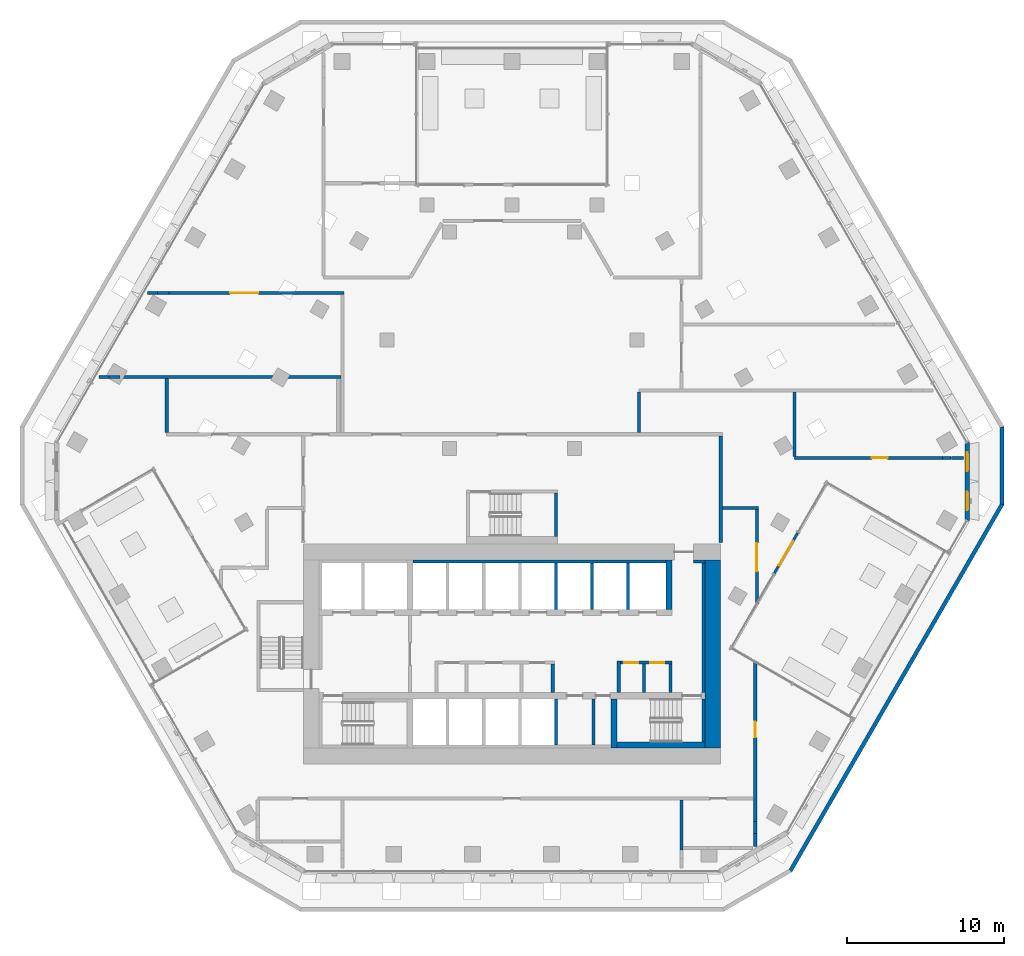
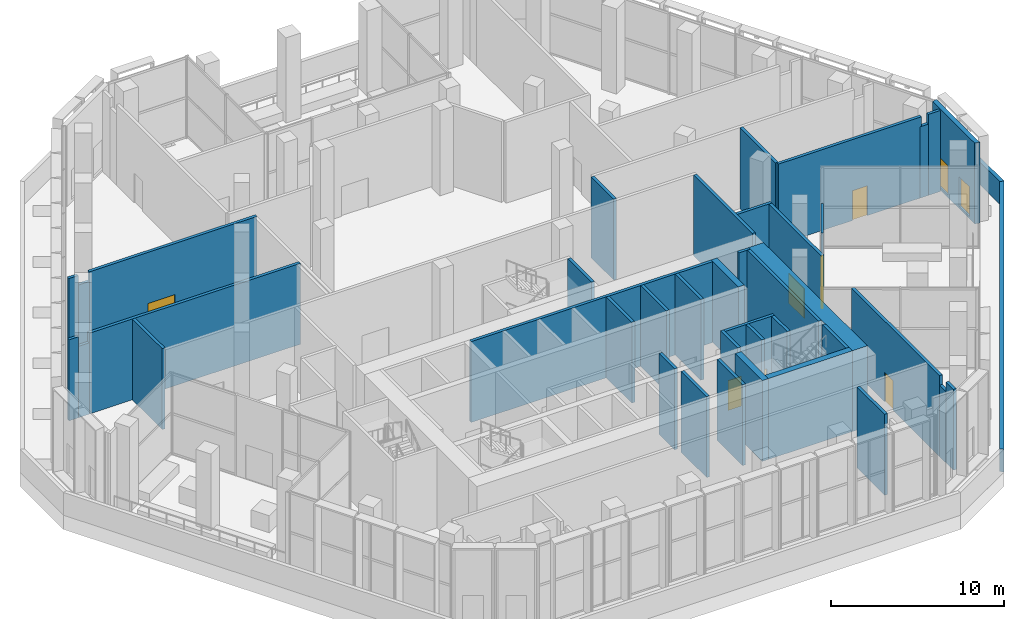
# One storey, part 11 of 23: 42 walls, 7 doors, 2 windows, 9 openings.
"""IFC4 building model written with IfcOpenShell, lengths in metres."""

from ifc_helpers import new_model, si_unit, direction, frame, frame_2d, origin, place, context, subcontext, project, spatial, polyline, rectangle, outline, extrude, material, layer, layer_set, type_object, element, fill, save


model = new_model("IFC4")

# Units and contexts
model_context = context("Model", 3, precision=1e-05, world=origin(), true_north=direction((0.0, 1.0)))
body_context = subcontext(model_context, "Body", "Model", "MODEL_VIEW")
ifc_project = project(units=[si_unit("LENGTHUNIT", "METRE"), si_unit("AREAUNIT", "SQUARE_METRE"), si_unit("VOLUMEUNIT", "CUBIC_METRE"), si_unit("PLANEANGLEUNIT", "RADIAN"), si_unit("MASSUNIT", "GRAM", prefix="KILO")], contexts=[model_context])

# Site, building, storey
site_placement = place(None, origin())
site = spatial("IfcSite", under=ifc_project, at=site_placement, CompositionType="ELEMENT")
building_placement = place(site_placement, origin())
building = spatial("IfcBuilding", under=site, at=building_placement, Name="Beryl Residences", CompositionType="ELEMENT")
storey_placement = place(building_placement, frame((0.0, 0.0, 66.0)))
storey = spatial("IfcBuildingStorey", under=building, at=storey_placement, Name="L20", CompositionType="ELEMENT", Elevation=66.0)

# Wall, openings, windows
ifc_material_1 = material(Name="Composite metal panel with mineral wool insulation")
ifc_layer_1 = layer(ifc_material_1, 0.300048828125)
ifc_layer_set_1 = layer_set([ifc_layer_1], Name="ES1 pale metal composite panel wall 300 mm")
wall_type_1 = type_object("IfcWallType", Name="ES1 pale metal composite panel wall 300 mm", PredefinedType="SOLIDWALL", material=ifc_layer_set_1)
wall_1_placement = place(storey_placement, frame((29.007080078125, -3.5, 0.0), z_axis=(0.0, 0.0, 1.0), x_axis=(0.0, 1.0, 0.0)))
wall_1 = element("IfcWall", 1, at=wall_1_placement, inside=storey, type_object=wall_type_1, Name="ES1 external wall L20 SE-NE", PredefinedType="SOLIDWALL", context=body_context, shape_type="SweptSolid", body=[
    extrude(outline(polyline([(0.0, -0.14990234375), (5.0, -0.14990234375), (4.919677734375, 0.14990234375), (0.080322265625, 0.14990234375), (0.0, -0.14990234375)])), origin(), (0.0, 0.0, 1.0), 5.699951171875),
])
opening_1_placement = place(wall_1_placement, frame((0.64990234375, 0.0, 0.14990234375)))
opening_1 = element("IfcOpeningElement", 2, at=opening_1_placement, cuts=wall_1, Name="Opening W2", PredefinedType="OPENING", context=body_context, shape_type="SweptSolid", body=[
    extrude(rectangle(XDim=1.199951171875, YDim=2.10009765625, at=frame_2d((0.60009765625, 1.050048828125))), frame((0.0, 0.159912109375, 0.0), z_axis=(0.0, -1.0, 0.0), x_axis=(1.0, 0.0, 0.0)), (0.0, 0.0, 1.0), 0.320068359375),
])
opening_2_placement = place(wall_1_placement, frame((3.14990234375, 0.0, 0.14990234375)))
opening_2 = element("IfcOpeningElement", 3, at=opening_2_placement, cuts=wall_1, Name="Opening W2", PredefinedType="OPENING", context=body_context, shape_type="SweptSolid", body=[
    extrude(rectangle(XDim=1.199951171875, YDim=2.10009765625, at=frame_2d((0.60009765625, 1.050048828125))), frame((0.0, 0.159912109375, 0.0), z_axis=(0.0, -1.0, 0.0), x_axis=(1.0, 0.0, 0.0)), (0.0, 0.0, 1.0), 0.320068359375),
])
ifc_material_2 = material(Name="Aluminium and clear glass", Category="aluminium")
window_type = type_object("IfcWindowType", Name="W2 chamfer window 1200 x 2100 mm", PartitioningType="SINGLE_PANEL", PredefinedType="WINDOW", material=ifc_material_2)
window_1_placement = place(opening_1_placement, origin())
window_1 = element("IfcWindow", 4, at=window_1_placement, inside=storey, type_object=window_type, Name="W2 window L20 SE-NE 1", OverallHeight=2.10009765625, OverallWidth=1.199951171875, PartitioningType="SINGLE_PANEL", PredefinedType="WINDOW", context=body_context, shape_type="SweptSolid", body=[
    extrude(rectangle(XDim=1.199951171875, YDim=2.10009765625, at=frame_2d((0.60009765625, 1.050048828125))), frame((0.0, 0.030029296875, 0.0), z_axis=(0.0, -1.0, 0.0), x_axis=(1.0, 0.0, 0.0)), (0.0, 0.0, 1.0), 0.06005859375),
])
fill(opening_1, window_1)
window_2_placement = place(opening_2_placement, origin())
window_2 = element("IfcWindow", 5, at=window_2_placement, inside=storey, type_object=window_type, Name="W2 window L20 SE-NE 2", OverallHeight=2.10009765625, OverallWidth=1.199951171875, PartitioningType="SINGLE_PANEL", PredefinedType="WINDOW", context=body_context, shape_type="SweptSolid", body=[
    extrude(rectangle(XDim=1.199951171875, YDim=2.10009765625, at=frame_2d((0.60009765625, 1.050048828125))), frame((0.0, 0.030029296875, 0.0), z_axis=(0.0, -1.0, 0.0), x_axis=(1.0, 0.0, 0.0)), (0.0, 0.0, 1.0), 0.06005859375),
])
fill(opening_2, window_2)

# Wall, opening, door
ifc_material_3 = material(Name="Aluminium framed insulated wall", Category="aluminium")
ifc_layer_2 = layer(ifc_material_3, 0.14990234375)
ifc_layer_set_2 = layer_set([ifc_layer_2], Name="GW1 glazed door wall 150 mm")
wall_type_2 = type_object("IfcWallType", Name="GW1 glazed door wall 150 mm", PredefinedType="SOLIDWALL", material=ifc_layer_set_2)
wall_2_placement = place(storey_placement, frame((16.701904296875, -6.8720703125, 0.0), z_axis=(0.0, 0.0, 1.0), x_axis=(0.499990139034, 0.866031096941, 0.0)))
wall_2 = element("IfcWall", 6, at=wall_2_placement, inside=storey, type_object=wall_type_2, Name="GW1 door wall L20 SE", PredefinedType="SOLIDWALL", context=body_context, shape_type="SweptSolid", body=[
    extrude(rectangle(XDim=3.0, YDim=0.14990234375, at=frame_2d((1.5, 0.0))), origin(), (0.0, 0.0, 1.0), 5.699951171875),
])
opening_3_placement = place(wall_2_placement, frame((0.60009765625, 0.0, 0.0)))
opening_3 = element("IfcOpeningElement", 7, at=opening_3_placement, cuts=wall_2, Name="Opening SD3", PredefinedType="OPENING", context=body_context, shape_type="SweptSolid", body=[
    extrude(rectangle(XDim=1.800048828125, YDim=2.39990234375, at=frame_2d((0.89990234375, 1.199951171875))), frame((0.0, 0.0849609375, 0.0), z_axis=(0.0, -1.0, 0.0), x_axis=(1.0, 0.0, 0.0)), (0.0, 0.0, 1.0), 0.169921875),
])
ifc_material_4 = material(Name="Aluminium and clear glass", Category="aluminium")
door_type_1 = type_object("IfcDoorType", Name="SD3 sliding glass door 1800 x 2400 mm", OperationType="SLIDING_TO_LEFT", PredefinedType="DOOR", material=ifc_material_4)
door_1_placement = place(opening_3_placement, origin())
door_1 = element("IfcDoor", 8, at=door_1_placement, inside=storey, type_object=door_type_1, Name="SD3 garden door L20 SE", OperationType="SLIDING_TO_LEFT", OverallHeight=2.39990234375, OverallWidth=1.800048828125, PredefinedType="DOOR", context=body_context, shape_type="SweptSolid", body=[
    extrude(rectangle(XDim=1.800048828125, YDim=2.39990234375, at=frame_2d((0.89990234375, 1.199951171875))), frame((0.0, 0.02490234375, 0.0), z_axis=(0.0, -1.0, 0.0), x_axis=(1.0, 0.0, 0.0)), (0.0, 0.0, 1.0), 0.050048828125),
])
fill(opening_3, door_1)

# Walls
ifc_material_5 = material(Name="Precast concrete C40/50", Category="concrete")
ifc_layer_3 = layer(ifc_material_5, 0.25)
ifc_layer_set_3 = layer_set([ifc_layer_3], Name="PA1 roof parapet 250 mm")
wall_type_3 = type_object("IfcWallType", Name="PA1 roof parapet 250 mm", PredefinedType="PARAPET", material=ifc_layer_set_3)
wall_3_placement = place(storey_placement, frame((31.22509765625, 2.5, 0.0), z_axis=(0.0, 0.0, 1.0), x_axis=(0.0, -1.0, 0.0)))
element("IfcWall", 9, at=wall_3_placement, inside=storey, type_object=wall_type_3, Name="PA1 parapet L20 strip 3", PredefinedType="PARAPET", context=body_context, shape_type="SweptSolid", body=[
    extrude(outline(polyline([(0.06689453125, -0.125), (4.93310546875, -0.125), (5.0, 0.125), (0.0, 0.125), (0.06689453125, -0.125)])), origin(), (0.0, 0.0, 1.0), 1.60009765625),
])
wall_4_placement = place(storey_placement, frame((31.241943359375, -2.43798828125, 0.0), z_axis=(0.0, 0.0, 1.0), x_axis=(-0.500044695558, -0.865999597254, 0.0)))
element("IfcWall", 10, at=wall_4_placement, inside=storey, type_object=wall_type_3, Name="PA1 parapet L20 strip 4", PredefinedType="PARAPET", context=body_context, shape_type="SweptSolid", body=[
    extrude(outline(polyline([(0.06689453125, -0.125), (26.95263671875, -0.125), (27.01953125, 0.125), (0.0, 0.125), (0.06689453125, -0.125)])), origin(), (0.0, 0.0, 1.0), 1.60009765625),
])
ifc_material_6 = material(Name="Concrete masonry", Category="masonry")
ifc_layer_4 = layer(ifc_material_6, 0.199951171875)
ifc_layer_set_4 = layer_set([ifc_layer_4], Name="PT13 lobby wall 200 mm")
wall_type_4 = type_object("IfcWallType", Name="PT13 lobby wall 200 mm", PredefinedType="PARTITIONING", material=ifc_layer_set_4)
wall_5_placement = place(storey_placement, frame((2.60009765625, -14.449951171875, 0.0), z_axis=(0.0, 0.0, 1.0), x_axis=(0.0, 1.0, 0.0)))
element("IfcWall", 11, at=wall_5_placement, inside=storey, type_object=wall_type_4, Name="Lobby wall 24", PredefinedType="PARTITIONING", context=body_context, shape_type="SweptSolid", body=[
    extrude(rectangle(XDim=1.800048828125, YDim=0.199951171875, at=frame_2d((0.89990234375, 0.0))), origin(), (0.0, 0.0, 1.0), 5.699951171875),
])
wall_6_placement = place(storey_placement, frame((6.800048828125, -14.449951171875, 0.0), z_axis=(0.0, 0.0, 1.0), x_axis=(0.0, 1.0, 0.0)))
element("IfcWall", 12, at=wall_6_placement, inside=storey, type_object=wall_type_4, Name="Lobby wall 30", PredefinedType="PARTITIONING", context=body_context, shape_type="SweptSolid", body=[
    extrude(rectangle(XDim=2.0, YDim=0.199951171875, at=frame_2d((1.0, 0.0))), origin(), (0.0, 0.0, 1.0), 5.699951171875),
])

# Wall, openings, doors
wall_7_placement = place(storey_placement, frame((6.89990234375, -12.550048828125, 0.0), z_axis=(0.0, 0.0, 1.0), x_axis=(1.0, 0.0, 0.0)))
wall_7 = element("IfcWall", 13, at=wall_7_placement, inside=storey, type_object=wall_type_4, Name="Lobby wall 31", PredefinedType="PARTITIONING", context=body_context, shape_type="SweptSolid", body=[
    extrude(rectangle(XDim=3.300048828125, YDim=0.199951171875, at=frame_2d((1.64990234375, 0.0))), origin(), (0.0, 0.0, 1.0), 5.699951171875),
])
opening_4_placement = place(wall_7_placement, frame((1.14990234375, 0.0, 0.0), z_axis=(0.0, 0.0, 1.0), x_axis=(-1.0, 0.0, 0.0)))
opening_4 = element("IfcOpeningElement", 14, at=opening_4_placement, cuts=wall_7, Name="Opening CD-D-A4-900", PredefinedType="OPENING", context=body_context, shape_type="SweptSolid", body=[
    extrude(rectangle(XDim=0.89990234375, YDim=2.10009765625, at=frame_2d((0.449951171875, 1.050048828125))), frame((0.0, 0.10986328125, 0.0), z_axis=(0.0, -1.0, 0.0), x_axis=(1.0, 0.0, 0.0)), (0.0, 0.0, 1.0), 0.219970703125),
])
opening_5_placement = place(wall_7_placement, frame((2.7998046875, 0.0, 0.0), z_axis=(0.0, 0.0, 1.0), x_axis=(-1.0, 0.0, 0.0)))
opening_5 = element("IfcOpeningElement", 15, at=opening_5_placement, cuts=wall_7, Name="Opening CD-D-A5-900", PredefinedType="OPENING", context=body_context, shape_type="SweptSolid", body=[
    extrude(rectangle(XDim=0.89990234375, YDim=2.10009765625, at=frame_2d((0.449951171875, 1.050048828125))), frame((0.0, 0.10986328125, 0.0), z_axis=(0.0, -1.0, 0.0), x_axis=(1.0, 0.0, 0.0)), (0.0, 0.0, 1.0), 0.219970703125),
])
ifc_material_7 = material(Name="Steel door leaf in steel frame", Category="steel")
door_type_2 = type_object("IfcDoorType", Name="D6 service room door 900 x 2100 mm", OperationType="SINGLE_SWING_LEFT", PredefinedType="DOOR", material=ifc_material_7)
door_2_placement = place(opening_4_placement, origin())
door_2 = element("IfcDoor", 16, at=door_2_placement, inside=storey, type_object=door_type_2, Name="Door CD-D-A4-900 L20 001", OperationType="SINGLE_SWING_LEFT", OverallHeight=2.10009765625, OverallWidth=0.89990234375, PredefinedType="DOOR", context=body_context, shape_type="SweptSolid", body=[
    extrude(rectangle(XDim=0.89990234375, YDim=2.10009765625, at=frame_2d((0.449951171875, 1.050048828125))), frame((0.0, 0.02490234375, 0.0), z_axis=(0.0, -1.0, 0.0), x_axis=(1.0, 0.0, 0.0)), (0.0, 0.0, 1.0), 0.050048828125),
])
fill(opening_4, door_2)
door_3_placement = place(opening_5_placement, origin())
door_3 = element("IfcDoor", 17, at=door_3_placement, inside=storey, type_object=door_type_2, Name="Door CD-D-A5-900 L20 001", OperationType="SINGLE_SWING_RIGHT", OverallHeight=2.10009765625, OverallWidth=0.89990234375, PredefinedType="DOOR", context=body_context, shape_type="SweptSolid", body=[
    extrude(rectangle(XDim=0.89990234375, YDim=2.10009765625, at=frame_2d((0.449951171875, 1.050048828125))), frame((0.0, 0.02490234375, 0.0), z_axis=(0.0, -1.0, 0.0), x_axis=(1.0, 0.0, 0.0)), (0.0, 0.0, 1.0), 0.050048828125),
])
fill(opening_5, door_3)

# Walls
wall_8_placement = place(storey_placement, frame((10.10009765625, -14.449951171875, 0.0), z_axis=(0.0, 0.0, 1.0), x_axis=(0.0, 1.0, 0.0)))
element("IfcWall", 18, at=wall_8_placement, inside=storey, type_object=wall_type_4, Name="Lobby wall 34", PredefinedType="PARTITIONING", context=body_context, shape_type="SweptSolid", body=[
    extrude(rectangle(XDim=1.800048828125, YDim=0.199951171875, at=frame_2d((0.89990234375, 0.0))), origin(), (0.0, 0.0, 1.0), 5.699951171875),
])
wall_9_placement = place(storey_placement, frame((11.550048828125, -6.10009765625, 0.0), z_axis=(0.0, 0.0, 1.0), x_axis=(1.0, 0.0, 0.0)))
element("IfcWall", 19, at=wall_9_placement, inside=storey, type_object=wall_type_4, Name="Lobby wall 35", PredefinedType="PARTITIONING", context=body_context, shape_type="SweptSolid", body=[
    extrude(rectangle(XDim=0.75, YDim=0.199951171875, at=frame_2d((0.375, 0.0))), origin(), (0.0, 0.0, 1.0), 5.699951171875),
])
wall_10_placement = place(storey_placement, frame((12.199951171875, -14.449951171875, 0.0), z_axis=(0.0, 0.0, 1.0), x_axis=(0.0, 1.0, 0.0)))
element("IfcWall", 20, at=wall_10_placement, inside=storey, type_object=wall_type_4, Name="Lobby wall 37", PredefinedType="PARTITIONING", context=body_context, shape_type="SweptSolid", body=[
    extrude(rectangle(XDim=8.25, YDim=0.199951171875, at=frame_2d((4.125, 0.0))), origin(), (0.0, 0.0, 1.0), 5.699951171875),
])
ifc_material_8 = material(Name="Double stud gypsum board wall")
ifc_layer_5 = layer(ifc_material_8, 0.199951171875)
ifc_layer_set_5 = layer_set([ifc_layer_5], Name="PT4 corridor wall 200 mm double stud")
wall_type_5 = type_object("IfcWallType", Name="PT4 corridor wall 200 mm double stud", PredefinedType="PARTITIONING", material=ifc_layer_set_5)
wall_11_placement = place(storey_placement, frame((13.39990234375, -2.699951171875, 0.0), z_axis=(0.0, 0.0, 1.0), x_axis=(1.0, 0.0, 0.0)))
element("IfcWall", 21, at=wall_11_placement, inside=storey, type_object=wall_type_5, Name="Wall PT4 L20 004", PredefinedType="PARTITIONING", context=body_context, shape_type="SweptSolid", body=[
    extrude(rectangle(XDim=2.300048828125, YDim=0.199951171875, at=frame_2d((1.14990234375, 0.0))), origin(), (0.0, 0.0, 1.0), 5.699951171875),
])
wall_12_placement = place(storey_placement, frame((-23.23291015625, 11.0, 0.0), z_axis=(0.0, 0.0, 1.0), x_axis=(1.0, 0.0, 0.0)))
element("IfcWall", 22, at=wall_12_placement, inside=storey, type_object=wall_type_5, Name="Wall PT4 L20 008", PredefinedType="PARTITIONING", context=body_context, shape_type="SweptSolid", body=[
    extrude(rectangle(XDim=0.6298828125, YDim=0.199951171875, at=frame_2d((0.31494140625, 0.0))), origin(), (0.0, 0.0, 1.0), 5.699951171875),
])
wall_13_placement = place(storey_placement, frame((-22.60302734375, 11.0, 0.0), z_axis=(0.0, 0.0, 1.0), x_axis=(1.0, 0.0, 0.0)))
element("IfcWall", 23, at=wall_13_placement, inside=storey, type_object=wall_type_5, Name="Wall PT4 L20 009", PredefinedType="PARTITIONING", context=body_context, shape_type="SweptSolid", body=[
    extrude(rectangle(XDim=0.75, YDim=0.199951171875, at=frame_2d((0.375, 0.0))), origin(), (0.0, 0.0, 1.0), 5.02001953125),
])

# Wall, opening, door
wall_14_placement = place(storey_placement, frame((-21.85302734375, 11.0, 0.0), z_axis=(0.0, 0.0, 1.0), x_axis=(1.0, 0.0, 0.0)))
wall_14 = element("IfcWall", 24, at=wall_14_placement, inside=storey, type_object=wall_type_5, Name="Wall PT4 L20 010", PredefinedType="PARTITIONING", context=body_context, shape_type="SweptSolid", body=[
    extrude(rectangle(XDim=11.153076171875, YDim=0.199951171875, at=frame_2d((5.57666015625, 0.0))), origin(), (0.0, 0.0, 1.0), 5.699951171875),
])
opening_6_placement = place(wall_14_placement, frame((5.691162109375, 0.0, 0.0), z_axis=(0.0, 0.0, 1.0), x_axis=(-1.0, 0.0, 0.0)))
opening_6 = element("IfcOpeningElement", 25, at=opening_6_placement, cuts=wall_14, Name="Opening L20-08", PredefinedType="OPENING", context=body_context, shape_type="SweptSolid", body=[
    extrude(rectangle(XDim=1.800048828125, YDim=2.10009765625, at=frame_2d((0.89990234375, 1.050048828125))), frame((0.0, 0.10986328125, 0.0), z_axis=(0.0, -1.0, 0.0), x_axis=(1.0, 0.0, 0.0)), (0.0, 0.0, 1.0), 0.219970703125),
])
ifc_material_9 = material(Name="Timber door leaf", Category="wood")
door_type_3 = type_object("IfcDoorType", Name="D20 corridor door 1800 x 2100 mm", OperationType="DOUBLE_DOOR_SINGLE_SWING", PredefinedType="DOOR", material=ifc_material_9)
door_4_placement = place(opening_6_placement, origin())
door_4 = element("IfcDoor", 26, at=door_4_placement, inside=storey, type_object=door_type_3, Name="Door L20-08 L20 001", OperationType="DOUBLE_DOOR_SINGLE_SWING", OverallHeight=2.10009765625, OverallWidth=1.800048828125, PredefinedType="DOOR", context=body_context, shape_type="SweptSolid", body=[
    extrude(rectangle(XDim=1.800048828125, YDim=2.10009765625, at=frame_2d((0.89990234375, 1.050048828125))), frame((0.0, 0.02490234375, 0.0), z_axis=(0.0, -1.0, 0.0), x_axis=(1.0, 0.0, 0.0)), (0.0, 0.0, 1.0), 0.050048828125),
])
fill(opening_6, door_4)

# Walls
wall_15_placement = place(storey_placement, frame((8.089111328125, 2.10009765625, 0.0), z_axis=(0.0, 0.0, 1.0), x_axis=(0.0, 1.0, 0.0)))
element("IfcWall", 27, at=wall_15_placement, inside=storey, type_object=wall_type_5, Name="Wall PT4 L20 021", PredefinedType="PARTITIONING", context=body_context, shape_type="SweptSolid", body=[
    extrude(rectangle(XDim=2.593994140625, YDim=0.199951171875, at=frame_2d((1.296875, 0.0))), origin(), (0.0, 0.0, 1.0), 5.699951171875),
])
wall_16_placement = place(storey_placement, frame((10.800048828125, -24.47509765625, 0.0), z_axis=(0.0, 0.0, 1.0), x_axis=(0.0, 1.0, 0.0)))
element("IfcWall", 28, at=wall_16_placement, inside=storey, type_object=wall_type_5, Name="Wall PT4 L20 024", PredefinedType="PARTITIONING", context=body_context, shape_type="SweptSolid", body=[
    extrude(rectangle(XDim=3.175048828125, YDim=0.199951171875, at=frame_2d((1.58740234375, 0.0))), origin(), (0.0, 0.0, 1.0), 5.699951171875),
])
wall_17_placement = place(storey_placement, frame((13.300048828125, -4.8798828125, 0.0), z_axis=(0.0, 0.0, 1.0), x_axis=(0.0, 1.0, 0.0)))
element("IfcWall", 29, at=wall_17_placement, inside=storey, type_object=wall_type_5, Name="Wall PT4 L20 029", PredefinedType="PARTITIONING", context=body_context, shape_type="SweptSolid", body=[
    extrude(rectangle(XDim=6.77978515625, YDim=0.199951171875, at=frame_2d((3.389892578125, 0.0))), origin(), (0.0, 0.0, 1.0), 5.699951171875),
])
wall_18_placement = place(storey_placement, frame((15.5, -24.279052734375, 0.0), z_axis=(0.0, 0.0, 1.0), x_axis=(0.0, 1.0, 0.0)))
element("IfcWall", 30, at=wall_18_placement, inside=storey, type_object=wall_type_5, Name="Wall PT4 L20 030", PredefinedType="PARTITIONING", context=body_context, shape_type="SweptSolid", body=[
    extrude(rectangle(XDim=0.85205078125, YDim=0.199951171875, at=frame_2d((0.426025390625, 0.0))), origin(), (0.0, 0.0, 1.0), 5.699951171875),
])
wall_19_placement = place(storey_placement, frame((15.5, -23.427001953125, 0.0), z_axis=(0.0, 0.0, 1.0), x_axis=(0.0, 1.0, 0.0)))
element("IfcWall", 31, at=wall_19_placement, inside=storey, type_object=wall_type_5, Name="Wall PT4 L20 031", PredefinedType="PARTITIONING", context=body_context, shape_type="SweptSolid", body=[
    extrude(rectangle(XDim=0.7509765625, YDim=0.199951171875, at=frame_2d((0.37548828125, 0.0))), origin(), (0.0, 0.0, 1.0), 5.02001953125),
])

# Wall, opening, door
wall_20_placement = place(storey_placement, frame((15.5, -22.676025390625, 0.0), z_axis=(0.0, 0.0, 1.0), x_axis=(0.0, 1.0, 0.0)))
wall_20 = element("IfcWall", 32, at=wall_20_placement, inside=storey, type_object=wall_type_5, Name="Wall PT4 L20 032", PredefinedType="PARTITIONING", context=body_context, shape_type="SweptSolid", body=[
    extrude(rectangle(XDim=10.171142578125, YDim=0.199951171875, at=frame_2d((5.08544921875, 0.0))), origin(), (0.0, 0.0, 1.0), 5.699951171875),
])
opening_7_placement = place(wall_20_placement, frame((6.3701171875, 0.0, 0.0), z_axis=(0.0, 0.0, 1.0), x_axis=(-1.0, 0.0, 0.0)))
opening_7 = element("IfcOpeningElement", 33, at=opening_7_placement, cuts=wall_20, Name="Opening L20-07", PredefinedType="OPENING", context=body_context, shape_type="SweptSolid", body=[
    extrude(rectangle(XDim=1.0, YDim=2.10009765625, at=frame_2d((0.5, 1.050048828125))), frame((0.0, 0.10986328125, 0.0), z_axis=(0.0, -1.0, 0.0), x_axis=(1.0, 0.0, 0.0)), (0.0, 0.0, 1.0), 0.219970703125),
])
ifc_material_10 = material(Name="Timber door leaf", Category="wood")
door_type_4 = type_object("IfcDoorType", Name="D9 corridor door 1000 x 2100 mm", OperationType="SINGLE_SWING_LEFT", PredefinedType="DOOR", material=ifc_material_10)
door_5_placement = place(opening_7_placement, origin())
door_5 = element("IfcDoor", 34, at=door_5_placement, inside=storey, type_object=door_type_4, Name="Door L20-07 L20 001", OperationType="SINGLE_SWING_RIGHT", OverallHeight=2.10009765625, OverallWidth=1.0, PredefinedType="DOOR", context=body_context, shape_type="SweptSolid", body=[
    extrude(rectangle(XDim=1.0, YDim=2.10009765625, at=frame_2d((0.5, 1.050048828125))), frame((0.0, 0.02490234375, 0.0), z_axis=(0.0, -1.0, 0.0), x_axis=(1.0, 0.0, 0.0)), (0.0, 0.0, 1.0), 0.050048828125),
])
fill(opening_7, door_5)

wall_21_placement = place(storey_placement, frame((15.60009765625, -8.821044921875, 0.0), z_axis=(0.0, 0.0, 1.0), x_axis=(0.0, 1.0, 0.0)))
wall_21 = element("IfcWall", 35, at=wall_21_placement, inside=storey, type_object=wall_type_5, Name="Wall PT4 L20 033", PredefinedType="PARTITIONING", context=body_context, shape_type="SweptSolid", body=[
    extrude(rectangle(XDim=6.02099609375, YDim=0.199951171875, at=frame_2d((3.010498046875, 0.0))), origin(), (0.0, 0.0, 1.0), 5.699951171875),
])
opening_8_placement = place(wall_21_placement, frame((3.880126953125, 0.0, 0.0), z_axis=(0.0, 0.0, 1.0), x_axis=(-1.0, 0.0, 0.0)))
opening_8 = element("IfcOpeningElement", 36, at=opening_8_placement, cuts=wall_21, Name="Opening L20-16", PredefinedType="OPENING", context=body_context, shape_type="SweptSolid", body=[
    extrude(rectangle(XDim=1.800048828125, YDim=2.10009765625, at=frame_2d((0.89990234375, 1.050048828125))), frame((0.0, 0.10986328125, 0.0), z_axis=(0.0, -1.0, 0.0), x_axis=(1.0, 0.0, 0.0)), (0.0, 0.0, 1.0), 0.219970703125),
])
door_6_placement = place(opening_8_placement, origin())
door_6 = element("IfcDoor", 37, at=door_6_placement, inside=storey, type_object=door_type_3, Name="Door L20-16 L20 001", OperationType="DOUBLE_DOOR_SINGLE_SWING", OverallHeight=2.10009765625, OverallWidth=1.800048828125, PredefinedType="DOOR", context=body_context, shape_type="SweptSolid", body=[
    extrude(rectangle(XDim=1.800048828125, YDim=2.10009765625, at=frame_2d((0.89990234375, 1.050048828125))), frame((0.0, 0.02490234375, 0.0), z_axis=(0.0, -1.0, 0.0), x_axis=(1.0, 0.0, 0.0)), (0.0, 0.0, 1.0), 0.050048828125),
])
fill(opening_8, door_6)

# Walls
ifc_material_11 = material(Name="Concrete C40/50", Category="concrete")
ifc_layer_6 = layer(ifc_material_11, 0.199951171875)
ifc_layer_set_6 = layer_set([ifc_layer_6], Name="PT5 stair enclosure wall 200 mm reinforced concrete C40/50")
wall_type_6 = type_object("IfcWallType", Name="PT5 stair enclosure wall 200 mm reinforced concrete C40/50", PredefinedType="SOLIDWALL", material=ifc_layer_set_6)
for number, where, z_axis, x_axis, name in (
    (38, (2.800048828125, -4.5, 0.0), (0.0, 0.0, 1.0), (0.0, 1.0, 0.0), "Wall PT5 L20 003"),
    (39, (12.199951171875, -17.60009765625, 0.0), (0.0, 0.0, 1.0), (0.0, 1.0, 0.0), "Stair wall 36"),
):
    element("IfcWall", number, at=place(storey_placement, frame(where, z_axis=z_axis, x_axis=x_axis)), inside=storey, type_object=wall_type_6, Name=name, PredefinedType="SOLIDWALL", context=body_context, shape_type="SweptSolid", body=[
        extrude(rectangle(XDim=2.75, YDim=0.199951171875, at=frame_2d((1.375, 0.0))), origin(), (0.0, 0.0, 1.0), 5.699951171875),
    ])
ifc_material_12 = material(Name="Concrete C40/50", Category="concrete")
ifc_layer_7 = layer(ifc_material_12, 0.39990234375)
ifc_layer_set_7 = layer_set([ifc_layer_7], Name="PT5-400 stair enclosure wall 400 mm")
wall_type_7 = type_object("IfcWallType", Name="PT5-400 stair enclosure wall 400 mm", PredefinedType="SOLIDWALL", material=ifc_layer_set_7)
wall_22_placement = place(storey_placement, frame((6.699951171875, -17.800048828125, 0.0), z_axis=(0.0, 0.0, 1.0), x_axis=(1.0, 0.0, 0.0)))
element("IfcWall", 40, at=wall_22_placement, inside=storey, type_object=wall_type_7, Name="Stair wall 29", PredefinedType="SOLIDWALL", context=body_context, shape_type="SweptSolid", body=[
    extrude(rectangle(XDim=5.60009765625, YDim=0.39990234375, at=frame_2d((2.800048828125, 0.0))), origin(), (0.0, 0.0, 1.0), 5.699951171875),
])
ifc_material_13 = material(Name="Concrete C40/50", Category="concrete")
ifc_layer_8 = layer(ifc_material_13, 0.199951171875)
ifc_layer_set_8 = layer_set([ifc_layer_8], Name="PT6 lift shaft wall 200 mm reinforced concrete C40/50")
wall_type_8 = type_object("IfcWallType", Name="PT6 lift shaft wall 200 mm reinforced concrete C40/50", PredefinedType="SOLIDWALL", material=ifc_layer_set_8)
wall_23_placement = place(storey_placement, frame((-6.300048828125, -6.10009765625, 0.0), z_axis=(0.0, 0.0, 1.0), x_axis=(1.0, 0.0, 0.0)))
element("IfcWall", 41, at=wall_23_placement, inside=storey, type_object=wall_type_8, Name="Lift shaft wall 13", PredefinedType="SOLIDWALL", context=body_context, shape_type="SweptSolid", body=[
    extrude(rectangle(XDim=16.10009765625, YDim=0.199951171875, at=frame_2d((8.050048828125, 0.0))), origin(), (0.0, 0.0, 1.0), 5.699951171875),
])
for number, where, z_axis, x_axis, name in (
    (42, (2.800048828125, -17.800048828125, 0.0), (0.0, 0.0, 1.0), (0.0, 1.0, 0.0), "Lift shaft wall 25"),
    (43, (2.800048828125, -9.14990234375, 0.0), (0.0, 0.0, 1.0), (0.0, 1.0, 0.0), "Lift shaft wall 26"),
    (44, (5.10009765625, -9.14990234375, 0.0), (0.0, 0.0, 1.0), (0.0, 1.0, 0.0), "Lift shaft wall 27"),
    (45, (7.39990234375, -9.14990234375, 0.0), (0.0, 0.0, 1.0), (0.0, 1.0, 0.0), "Lift shaft wall 32"),
):
    element("IfcWall", number, at=place(storey_placement, frame(where, z_axis=z_axis, x_axis=x_axis)), inside=storey, type_object=wall_type_8, Name=name, PredefinedType="SOLIDWALL", context=body_context, shape_type="SweptSolid", body=[
        extrude(rectangle(XDim=2.949951171875, YDim=0.199951171875, at=frame_2d((1.47509765625, 0.0))), origin(), (0.0, 0.0, 1.0), 5.699951171875),
    ])
ifc_material_14 = material(Name="Concrete masonry", Category="masonry")
ifc_layer_9 = layer(ifc_material_14, 0.199951171875)
ifc_layer_set_9 = layer_set([ifc_layer_9], Name="PT7-200 riser wall 200 mm")
wall_type_9 = type_object("IfcWallType", Name="PT7-200 riser wall 200 mm", PredefinedType="PARTITIONING", material=ifc_layer_set_9)
wall_24_placement = place(storey_placement, frame((5.199951171875, -17.800048828125, 0.0), z_axis=(0.0, 0.0, 1.0), x_axis=(0.0, 1.0, 0.0)))
element("IfcWall", 46, at=wall_24_placement, inside=storey, type_object=wall_type_9, Name="Riser wall 28", PredefinedType="PARTITIONING", context=body_context, shape_type="SweptSolid", body=[
    extrude(rectangle(XDim=2.949951171875, YDim=0.199951171875, at=frame_2d((1.47509765625, 0.0))), origin(), (0.0, 0.0, 1.0), 5.699951171875),
])

# Wall, opening, door
ifc_material_15 = material(Name="Concrete masonry", Category="masonry")
ifc_layer_10 = layer(ifc_material_15, 0.199951171875)
ifc_layer_set_10 = layer_set([ifc_layer_10], Name="PT8-200 service room wall 200 mm")
wall_type_10 = type_object("IfcWallType", Name="PT8-200 service room wall 200 mm", PredefinedType="PARTITIONING", material=ifc_layer_set_10)
wall_25_placement = place(storey_placement, frame((18.0, 0.5, 0.0), z_axis=(0.0, 0.0, 1.0), x_axis=(1.0, 0.0, 0.0)))
wall_25 = element("IfcWall", 47, at=wall_25_placement, inside=storey, type_object=wall_type_10, Name="Wall PT8-200 L20 001", PredefinedType="PARTITIONING", context=body_context, shape_type="SweptSolid", body=[
    extrude(rectangle(XDim=9.5390625, YDim=0.199951171875, at=frame_2d((4.76953125, 0.0))), origin(), (0.0, 0.0, 1.0), 5.699951171875),
])
opening_9_placement = place(wall_25_placement, frame((5.927978515625, 0.0, 0.0), z_axis=(0.0, 0.0, 1.0), x_axis=(-1.0, 0.0, 0.0)))
opening_9 = element("IfcOpeningElement", 48, at=opening_9_placement, cuts=wall_25, Name="Opening L20-03", PredefinedType="OPENING", context=body_context, shape_type="SweptSolid", body=[
    extrude(rectangle(XDim=1.0, YDim=2.10009765625, at=frame_2d((0.5, 1.050048828125))), frame((0.0, 0.10986328125, 0.0), z_axis=(0.0, -1.0, 0.0), x_axis=(1.0, 0.0, 0.0)), (0.0, 0.0, 1.0), 0.219970703125),
])
ifc_material_16 = material(Name="Steel door leaf in steel frame", Category="steel")
door_type_5 = type_object("IfcDoorType", Name="D18 service room door 1000 x 2100 mm", OperationType="SINGLE_SWING_LEFT", PredefinedType="DOOR", material=ifc_material_16)
door_7_placement = place(opening_9_placement, origin())
door_7 = element("IfcDoor", 49, at=door_7_placement, inside=storey, type_object=door_type_5, Name="Door L20-03 L20 001", OperationType="SINGLE_SWING_RIGHT", OverallHeight=2.10009765625, OverallWidth=1.0, PredefinedType="DOOR", context=body_context, shape_type="SweptSolid", body=[
    extrude(rectangle(XDim=1.0, YDim=2.10009765625, at=frame_2d((0.5, 1.050048828125))), frame((0.0, 0.02490234375, 0.0), z_axis=(0.0, -1.0, 0.0), x_axis=(1.0, 0.0, 0.0)), (0.0, 0.0, 1.0), 0.050048828125),
])
fill(opening_9, door_7)

# Walls
wall_26_placement = place(storey_placement, frame((27.43896484375, 0.5, 0.0), z_axis=(0.0, 0.0, 1.0), x_axis=(1.0, 0.0, 0.0)))
element("IfcWall", 50, at=wall_26_placement, inside=storey, type_object=wall_type_10, Name="Wall PT8-200 L20 002", PredefinedType="PARTITIONING", context=body_context, shape_type="SweptSolid", body=[
    extrude(rectangle(XDim=0.550048828125, YDim=0.199951171875, at=frame_2d((0.27490234375, 0.0))), origin(), (0.0, 0.0, 1.0), 5.02001953125),
])
wall_27_placement = place(storey_placement, frame((27.989013671875, 0.5, 0.0), z_axis=(0.0, 0.0, 1.0), x_axis=(1.0, 0.0, 0.0)))
element("IfcWall", 51, at=wall_27_placement, inside=storey, type_object=wall_type_10, Name="Wall PT8-200 L20 003", PredefinedType="PARTITIONING", context=body_context, shape_type="SweptSolid", body=[
    extrude(rectangle(XDim=0.7880859375, YDim=0.199951171875, at=frame_2d((0.39404296875, 0.0))), origin(), (0.0, 0.0, 1.0), 5.699951171875),
])
wall_28_placement = place(storey_placement, frame((-26.320068359375, 5.654052734375, 0.0), z_axis=(0.0, 0.0, 1.0), x_axis=(1.0, 0.0, 0.0)))
element("IfcWall", 52, at=wall_28_placement, inside=storey, type_object=wall_type_10, Name="Wall PT8-200 L20 008", PredefinedType="PARTITIONING", context=body_context, shape_type="SweptSolid", body=[
    extrude(rectangle(XDim=0.630126953125, YDim=0.199951171875, at=frame_2d((0.31494140625, 0.0))), origin(), (0.0, 0.0, 1.0), 5.699951171875),
])
wall_29_placement = place(storey_placement, frame((-25.68994140625, 5.654052734375, 0.0), z_axis=(0.0, 0.0, 1.0), x_axis=(1.0, 0.0, 0.0)))
element("IfcWall", 53, at=wall_29_placement, inside=storey, type_object=wall_type_10, Name="Wall PT8-200 L20 009", PredefinedType="PARTITIONING", context=body_context, shape_type="SweptSolid", body=[
    extrude(rectangle(XDim=0.725830078125, YDim=0.199951171875, at=frame_2d((0.36279296875, 0.0))), origin(), (0.0, 0.0, 1.0), 5.02001953125),
])
wall_30_placement = place(storey_placement, frame((-24.964111328125, 5.654052734375, 0.0), z_axis=(0.0, 0.0, 1.0), x_axis=(1.0, 0.0, 0.0)))
element("IfcWall", 54, at=wall_30_placement, inside=storey, type_object=wall_type_10, Name="Wall PT8-200 L20 010", PredefinedType="PARTITIONING", context=body_context, shape_type="SweptSolid", body=[
    extrude(rectangle(XDim=14.064208984375, YDim=0.199951171875, at=frame_2d((7.0322265625, 0.0))), origin(), (0.0, 0.0, 1.0), 5.699951171875),
])
wall_31_placement = place(storey_placement, frame((-22.0, 2.10009765625, 0.0), z_axis=(0.0, 0.0, 1.0), x_axis=(0.0, 1.0, 0.0)))
element("IfcWall", 55, at=wall_31_placement, inside=storey, type_object=wall_type_10, Name="Wall PT8-200 L20 012", PredefinedType="PARTITIONING", context=body_context, shape_type="SweptSolid", body=[
    extrude(rectangle(XDim=3.453857421875, YDim=0.199951171875, at=frame_2d((1.72705078125, 0.0))), origin(), (0.0, 0.0, 1.0), 5.699951171875),
])
wall_32_placement = place(storey_placement, frame((18.0, 0.60009765625, 0.0), z_axis=(0.0, 0.0, 1.0), x_axis=(0.0, 1.0, 0.0)))
element("IfcWall", 56, at=wall_32_placement, inside=storey, type_object=wall_type_10, Name="Wall PT8-200 L20 017", PredefinedType="PARTITIONING", context=body_context, shape_type="SweptSolid", body=[
    extrude(rectangle(XDim=4.093994140625, YDim=0.199951171875, at=frame_2d((2.046875, 0.0))), origin(), (0.0, 0.0, 1.0), 5.699951171875),
])
wall_33_placement = place(storey_placement, frame((8.39990234375, -14.449951171875, 0.0), z_axis=(0.0, 0.0, 1.0), x_axis=(0.0, 1.0, 0.0)))
element("IfcWall", 57, at=wall_33_placement, inside=storey, type_object=wall_type_10, Name="Core room wall 33", PredefinedType="PARTITIONING", context=body_context, shape_type="SweptSolid", body=[
    extrude(rectangle(XDim=1.800048828125, YDim=0.199951171875, at=frame_2d((0.89990234375, 0.0))), origin(), (0.0, 0.0, 1.0), 5.699951171875),
])
ifc_material_17 = material(Name="Concrete C70/85", Category="concrete")
ifc_layer_11 = layer(ifc_material_17, 1.0)
ifc_layer_set_11 = layer_set([ifc_layer_11], Name="SW2 core outer wall 1000 mm C70/85")
wall_type_11 = type_object("IfcWallType", Name="SW2 core outer wall 1000 mm C70/85", PredefinedType="SHEAR", material=ifc_layer_set_11)
wall_34_placement = place(storey_placement, frame((12.800048828125, -18.0, 0.0), z_axis=(0.0, 0.0, 1.0), x_axis=(0.0, 1.0, 0.0)))
element("IfcWall", 58, at=wall_34_placement, inside=storey, type_object=wall_type_11, Name="Core wall E L20", PredefinedType="SHEAR", context=body_context, shape_type="SweptSolid", body=[
    extrude(rectangle(XDim=12.0, YDim=1.0, at=frame_2d((6.0, 0.0))), origin(), (0.0, 0.0, 1.0), 5.699951171875),
])
ifc_material_18 = material(Name="Concrete C70/85", Category="concrete")
ifc_layer_12 = layer(ifc_material_18, 0.39990234375)
ifc_layer_set_12 = layer_set([ifc_layer_12], Name="SW7 core internal wall 400 mm C70/85")
wall_type_12 = type_object("IfcWallType", Name="SW7 core internal wall 400 mm C70/85", PredefinedType="SHEAR", material=ifc_layer_set_12)
for number, where, z_axis, x_axis, name in (
    (59, (6.5, -18.0, 0.0), (0.0, 0.0, 1.0), (0.0, 1.0, 0.0), "Core wall XS2 L20"),
    (60, (10.0, -9.14990234375, 0.0), (0.0, 0.0, 1.0), (0.0, 1.0, 0.0), "Core wall XN2 L20"),
):
    element("IfcWall", number, at=place(storey_placement, frame(where, z_axis=z_axis, x_axis=x_axis)), inside=storey, type_object=wall_type_12, Name=name, PredefinedType="SHEAR", context=body_context, shape_type="SweptSolid", body=[
        extrude(rectangle(XDim=3.14990234375, YDim=0.39990234375, at=frame_2d((1.574951171875, 0.0))), origin(), (0.0, 0.0, 1.0), 5.699951171875),
    ])

save(model, "model.ifc")
